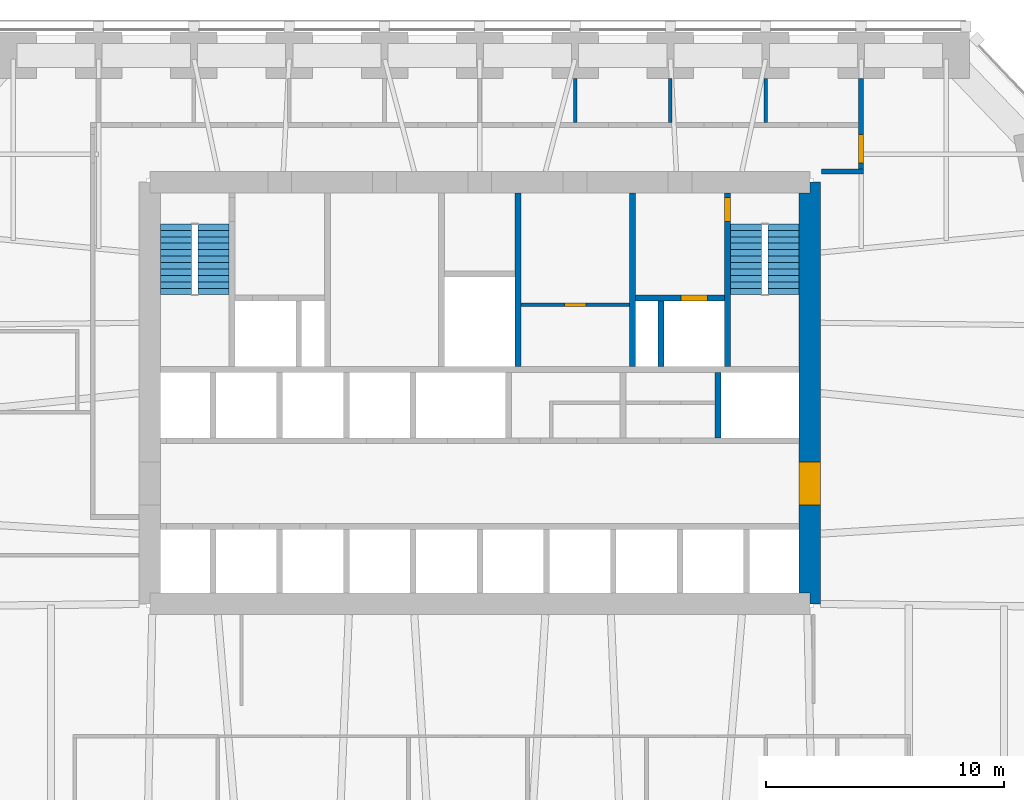
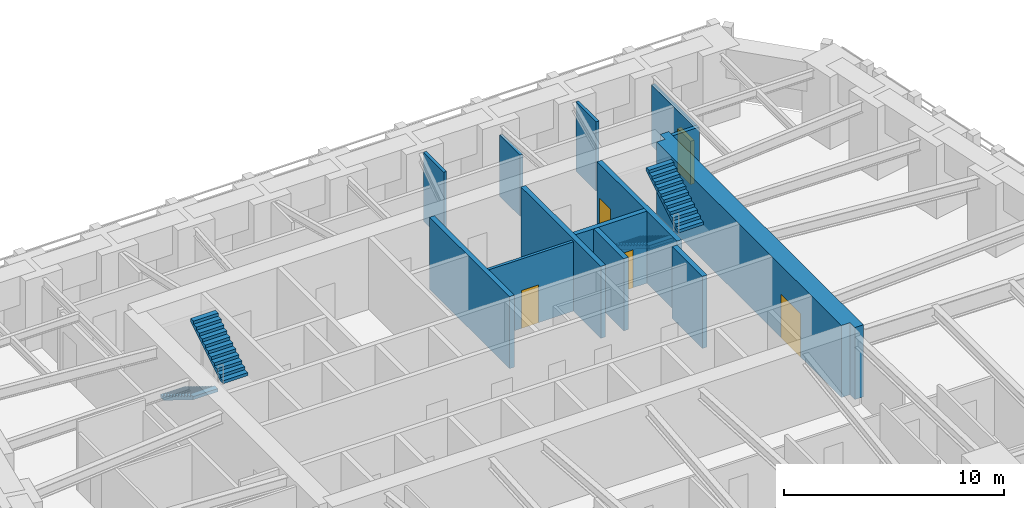
# One storey, part 14 of 16: 13 walls, 5 doors, 4 stair flights, 5 openings, 2 elements without a shape of their own.
"""IFC4 building model written with IfcOpenShell, lengths in metres."""

from ifc_helpers import new_model, si_unit, direction, frame, frame_2d, origin, place, context, subcontext, project, spatial, polyline, rectangle, outline, extrude, material, layer, layer_set, type_object, element, fill, aggregate, save


model = new_model("IFC4")

# Units and contexts
model_context = context("Model", 3, precision=1e-05, world=origin(), true_north=direction((0.0, 1.0)))
body_context = subcontext(model_context, "Body", "Model", "MODEL_VIEW")
ifc_project = project(units=[si_unit("LENGTHUNIT", "METRE"), si_unit("AREAUNIT", "SQUARE_METRE"), si_unit("VOLUMEUNIT", "CUBIC_METRE"), si_unit("PLANEANGLEUNIT", "RADIAN"), si_unit("MASSUNIT", "GRAM", prefix="KILO")], contexts=[model_context])

# Site, building, storey
site_placement = place(None, origin())
site = spatial("IfcSite", under=ifc_project, at=site_placement, CompositionType="ELEMENT")
building_placement = place(site_placement, origin())
building = spatial("IfcBuilding", under=site, at=building_placement, Name="Isbrekke Arena Tower", CompositionType="ELEMENT")
storey_placement = place(building_placement, frame((0.0, 0.0, 32.0)))
storey = spatial("IfcBuildingStorey", under=building, at=storey_placement, Name="L05", CompositionType="ELEMENT", Elevation=32.0)

# Wall, opening, door
ifc_material_1 = material(Name="Concrete B65 (C65/80)", Category="concrete")
ifc_layer_1 = layer(ifc_material_1, 0.89990234375)
ifc_layer_set_1 = layer_set([ifc_layer_1], Name="CW2 CORE WALL 900")
wall_type_1 = type_object("IfcWallType", Name="CW2 CORE WALL 900", PredefinedType="SHEAR", material=ifc_layer_set_1)
wall_1_placement = place(storey_placement, frame((13.85009765625, 6.14990234375, 0.0), z_axis=(0.0, 0.0, 1.0), x_axis=(0.0, 1.0, 0.0)))
wall_1 = element("IfcWall", 1, at=wall_1_placement, inside=storey, type_object=wall_type_1, Name="Core wall E L05", PredefinedType="SHEAR", context=body_context, shape_type="SweptSolid", body=[
    extrude(outline(polyline([(0.0, -0.449951171875), (17.7001953125, -0.449951171875), (17.7001953125, 0.0), (17.250244140625, 0.0), (17.250244140625, 0.449951171875), (0.449951171875, 0.449951171875), (0.449951171875, 0.0), (0.0, 0.0), (0.0, -0.449951171875)])), origin(), (0.0, 0.0, 1.0), 4.0),
])
opening_1_placement = place(wall_1_placement, frame((4.14990234375, 0.0, 0.0)))
opening_1 = element("IfcOpeningElement", 2, at=opening_1_placement, cuts=wall_1, Name="Opening D1", PredefinedType="OPENING", context=body_context, shape_type="SweptSolid", body=[
    extrude(rectangle(XDim=1.800048828125, YDim=2.39990234375, at=frame_2d((0.89990234375, 1.199951171875))), frame((0.0, 0.46484375, 0.0), z_axis=(0.0, -1.0, 0.0), x_axis=(1.0, 0.0, 0.0)), (0.0, 0.0, 1.0), 0.9296875),
])
ifc_material_2 = material(Name="Steel-framed glazed fire door", Category="steel")
door_type_1 = type_object("IfcDoorType", Name="D1 CORE LOBBY DOOR 1800 x 2400", OperationType="DOUBLE_DOOR_SINGLE_SWING", PredefinedType="DOOR", material=ifc_material_2)
door_1_placement = place(opening_1_placement, origin())
door_1 = element("IfcDoor", 3, at=door_1_placement, inside=storey, type_object=door_type_1, Name="D1 lift lobby door east L05", OperationType="DOUBLE_DOOR_SINGLE_SWING", OverallHeight=2.39990234375, OverallWidth=1.800048828125, PredefinedType="DOOR", context=body_context, shape_type="SweptSolid", body=[
    extrude(rectangle(XDim=1.800048828125, YDim=2.39990234375, at=frame_2d((0.89990234375, 1.199951171875))), frame((0.0, 0.44970703125, 0.0), z_axis=(0.0, -1.0, 0.0), x_axis=(1.0, 0.0, 0.0)), (0.0, 0.0, 1.0), 0.8994140625),
])
fill(opening_1, door_1)

# Walls
ifc_material_3 = material(Name="Concrete B45 (C45/55)", Category="concrete")
ifc_layer_2 = layer(ifc_material_3, 0.25)
ifc_layer_set_2 = layer_set([ifc_layer_2], Name="CW6 SHAFT WALL 250")
wall_type_2 = type_object("IfcWallType", Name="CW6 SHAFT WALL 250", PredefinedType="SHEAR", material=ifc_layer_set_2)
wall_2_placement = place(storey_placement, frame((10.0, 13.125, 0.0), z_axis=(0.0, 0.0, 1.0), x_axis=(0.0, 1.0, 0.0)))
element("IfcWall", 4, at=wall_2_placement, inside=storey, type_object=wall_type_2, Name="Core wall SN07 L05", PredefinedType="SHEAR", context=body_context, shape_type="SweptSolid", body=[
    extrude(rectangle(XDim=2.75, YDim=0.25, at=frame_2d((1.375, 0.0))), origin(), (0.0, 0.0, 1.0), 4.0),
])
for number, where, z_axis, x_axis, name in (
    (5, (1.60009765625, 16.125, 0.0), (0.0, 0.0, 1.0), (0.0, 1.0, 0.0), "Core wall NV04 L05"),
    (6, (6.39990234375, 16.125, 0.0), (0.0, 0.0, 1.0), (0.0, 1.0, 0.0), "Core wall NV05 L05"),
):
    element("IfcWall", number, at=place(storey_placement, frame(where, z_axis=z_axis, x_axis=x_axis)), inside=storey, type_object=wall_type_2, Name=name, PredefinedType="SHEAR", context=body_context, shape_type="SweptSolid", body=[
        extrude(rectangle(XDim=7.27490234375, YDim=0.25, at=frame_2d((3.637451171875, 0.0))), origin(), (0.0, 0.0, 1.0), 4.0),
    ])

# Wall, opening, door
wall_3_placement = place(storey_placement, frame((10.39990234375, 16.125, 0.0), z_axis=(0.0, 0.0, 1.0), x_axis=(0.0, 1.0, 0.0)))
wall_3 = element("IfcWall", 7, at=wall_3_placement, inside=storey, type_object=wall_type_2, Name="Core wall NV06 L05", PredefinedType="SHEAR", context=body_context, shape_type="SweptSolid", body=[
    extrude(rectangle(XDim=7.27490234375, YDim=0.25, at=frame_2d((3.637451171875, 0.0))), origin(), (0.0, 0.0, 1.0), 4.0),
])
opening_2_placement = place(wall_3_placement, frame((6.074951171875, 0.0, 0.0)))
opening_2 = element("IfcOpeningElement", 8, at=opening_2_placement, cuts=wall_3, Name="Opening D2", PredefinedType="OPENING", context=body_context, shape_type="SweptSolid", body=[
    extrude(rectangle(XDim=1.0, YDim=2.10009765625, at=frame_2d((0.5, 1.050048828125))), frame((0.0, 0.139892578125, 0.0), z_axis=(0.0, -1.0, 0.0), x_axis=(1.0, 0.0, 0.0)), (0.0, 0.0, 1.0), 0.27978515625),
])
ifc_material_4 = material(Name="Steel fire door", Category="steel")
door_type_2 = type_object("IfcDoorType", Name="D2 STAIR DOOR 1000 x 2100", OperationType="SINGLE_SWING_LEFT", PredefinedType="DOOR", material=ifc_material_4)
door_2_placement = place(opening_2_placement, origin())
door_2 = element("IfcDoor", 9, at=door_2_placement, inside=storey, type_object=door_type_2, Name="D2 stair door ST2 L05", OperationType="SINGLE_SWING_LEFT", OverallHeight=2.10009765625, OverallWidth=1.0, PredefinedType="DOOR", context=body_context, shape_type="SweptSolid", body=[
    extrude(rectangle(XDim=1.0, YDim=2.10009765625, at=frame_2d((0.5, 1.050048828125))), frame((0.0, 0.124755859375, 0.0), z_axis=(0.0, -1.0, 0.0), x_axis=(1.0, 0.0, 0.0)), (0.0, 0.0, 1.0), 0.24951171875),
])
fill(opening_2, door_2)

wall_4_placement = place(storey_placement, frame((6.52490234375, 19.0, 0.0), z_axis=(0.0, 0.0, 1.0), x_axis=(1.0, 0.0, 0.0)))
wall_4 = element("IfcWall", 10, at=wall_4_placement, inside=storey, type_object=wall_type_2, Name="Core wall NFE L05", PredefinedType="SHEAR", context=body_context, shape_type="SweptSolid", body=[
    extrude(rectangle(XDim=3.75, YDim=0.25, at=frame_2d((1.875, 0.0))), origin(), (0.0, 0.0, 1.0), 4.0),
])
opening_3_placement = place(wall_4_placement, frame((1.925048828125, 0.0, 0.0)))
opening_3 = element("IfcOpeningElement", 11, at=opening_3_placement, cuts=wall_4, Name="Opening LD2", PredefinedType="OPENING", context=body_context, shape_type="SweptSolid", body=[
    extrude(rectangle(XDim=1.10009765625, YDim=2.10009765625, at=frame_2d((0.550048828125, 1.050048828125))), frame((0.0, 0.139892578125, 0.0), z_axis=(0.0, -1.0, 0.0), x_axis=(1.0, 0.0, 0.0)), (0.0, 0.0, 1.0), 0.27978515625),
])
ifc_material_5 = material(Name="Stainless steel lift landing door", Category="steel")
door_type_3 = type_object("IfcDoorType", Name="LD2 FIRE-FIGHTING LIFT LANDING DOOR 1100 x 2100", OperationType="SLIDING_TO_RIGHT", PredefinedType="DOOR", material=ifc_material_5)
door_3_placement = place(opening_3_placement, origin())
door_3 = element("IfcDoor", 12, at=door_3_placement, inside=storey, type_object=door_type_3, Name="LD2 lift landing door LF L05", OperationType="SLIDING_TO_RIGHT", OverallHeight=2.10009765625, OverallWidth=1.10009765625, PredefinedType="DOOR", context=body_context, shape_type="SweptSolid", body=[
    extrude(rectangle(XDim=1.10009765625, YDim=2.10009765625, at=frame_2d((0.550048828125, 1.050048828125))), frame((0.0, 0.124755859375, 0.0), z_axis=(0.0, -1.0, 0.0), x_axis=(1.0, 0.0, 0.0)), (0.0, 0.0, 1.0), 0.24951171875),
])
fill(opening_3, door_3)

# Walls
wall_5_placement = place(storey_placement, frame((7.60009765625, 16.125, 0.0), z_axis=(0.0, 0.0, 1.0), x_axis=(0.0, 1.0, 0.0)))
element("IfcWall", 13, at=wall_5_placement, inside=storey, type_object=wall_type_2, Name="Core wall NFS2 L05", PredefinedType="SHEAR", context=body_context, shape_type="SweptSolid", body=[
    extrude(rectangle(XDim=2.75, YDim=0.25, at=frame_2d((1.375, 0.0))), origin(), (0.0, 0.0, 1.0), 4.0),
])
ifc_material_6 = material(Name="Gypsum board partition on steel studs", Category="steel")
ifc_layer_3 = layer(ifc_material_6, 0.14990234375)
ifc_layer_set_3 = layer_set([ifc_layer_3], Name="IW1 PARTITION 150")
wall_type_3 = type_object("IfcWallType", Name="IW1 PARTITION 150", PredefinedType="PARTITIONING", material=ifc_layer_set_3)
wall_6_placement = place(storey_placement, frame((4.0, 26.35009765625, 0.0), z_axis=(0.0, 0.0, 1.0), x_axis=(0.0, 1.0, 0.0)))
element("IfcWall", 14, at=wall_6_placement, inside=storey, type_object=wall_type_3, Name="IW1 partition 150 L05", PredefinedType="PARTITIONING", context=body_context, shape_type="SweptSolid", body=[
    extrude(rectangle(XDim=1.849853515625, YDim=0.14990234375, at=frame_2d((0.9248046875, 0.0))), origin(), (0.0, 0.0, 1.0), 3.85009765625),
])
wall_7_placement = place(storey_placement, frame((8.0, 26.35009765625, 0.0), z_axis=(0.0, 0.0, 1.0), x_axis=(0.0, 1.0, 0.0)))
element("IfcWall", 15, at=wall_7_placement, inside=storey, type_object=wall_type_3, Name="IW1 partition 150 L05", PredefinedType="PARTITIONING", context=body_context, shape_type="SweptSolid", body=[
    extrude(rectangle(XDim=1.849853515625, YDim=0.14990234375, at=frame_2d((0.9248046875, 0.0))), origin(), (0.0, 0.0, 1.0), 3.39990234375),
])
wall_8_placement = place(storey_placement, frame((12.0, 26.35009765625, 0.0), z_axis=(0.0, 0.0, 1.0), x_axis=(0.0, 1.0, 0.0)))
element("IfcWall", 16, at=wall_8_placement, inside=storey, type_object=wall_type_3, Name="IW1 partition 150 L05", PredefinedType="PARTITIONING", context=body_context, shape_type="SweptSolid", body=[
    extrude(rectangle(XDim=1.849853515625, YDim=0.14990234375, at=frame_2d((0.9248046875, 0.0))), origin(), (0.0, 0.0, 1.0), 3.85009765625),
])
ifc_material_7 = material(Name="Gypsum board fire-cell wall on steel studs, two layers each side", Category="steel")
ifc_layer_4 = layer(ifc_material_7, 0.199951171875)
ifc_layer_set_4 = layer_set([ifc_layer_4], Name="IW3 FIRE-CELL WALL 200")
wall_type_4 = type_object("IfcWallType", Name="IW3 FIRE-CELL WALL 200", PredefinedType="PARTITIONING", material=ifc_layer_set_4)
wall_9_placement = place(storey_placement, frame((14.330078125, 24.300048828125, 0.0), z_axis=(0.0, 0.0, 1.0), x_axis=(1.0, 0.0, 0.0)))
element("IfcWall", 17, at=wall_9_placement, inside=storey, type_object=wall_type_4, Name="IW3 fire-cell wall 200 L05", PredefinedType="PARTITIONING", context=body_context, shape_type="SweptSolid", body=[
    extrude(rectangle(XDim=1.77001953125, YDim=0.199951171875, at=frame_2d((0.885009765625, 0.0))), origin(), (0.0, 0.0, 1.0), 3.39990234375),
])

# Wall, opening, door
wall_10_placement = place(storey_placement, frame((16.0, 24.39990234375, 0.0), z_axis=(0.0, 0.0, 1.0), x_axis=(0.0, 1.0, 0.0)))
wall_10 = element("IfcWall", 18, at=wall_10_placement, inside=storey, type_object=wall_type_4, Name="IW3 fire-cell wall 200 L05", PredefinedType="PARTITIONING", context=body_context, shape_type="SweptSolid", body=[
    extrude(rectangle(XDim=3.800048828125, YDim=0.199951171875, at=frame_2d((1.89990234375, 0.0))), origin(), (0.0, 0.0, 1.0), 3.39990234375),
])
opening_4_placement = place(wall_10_placement, frame((0.25, 0.0, 0.0)))
opening_4 = element("IfcOpeningElement", 19, at=opening_4_placement, cuts=wall_10, Name="Opening D12", PredefinedType="OPENING", context=body_context, shape_type="SweptSolid", body=[
    extrude(rectangle(XDim=1.199951171875, YDim=2.39990234375, at=frame_2d((0.60009765625, 1.199951171875))), frame((0.0, 0.11474609375, 0.0), z_axis=(0.0, -1.0, 0.0), x_axis=(1.0, 0.0, 0.0)), (0.0, 0.0, 1.0), 0.229736328125),
])
ifc_material_8 = material(Name="Timber fire door with vision panel", Category="wood")
door_type_4 = type_object("IfcDoorType", Name="D12 SUITE ENTRANCE DOOR 1200 x 2400", OperationType="SINGLE_SWING_LEFT", PredefinedType="DOOR", material=ifc_material_8)
door_4_placement = place(opening_4_placement, origin())
door_4 = element("IfcDoor", 20, at=door_4_placement, inside=storey, type_object=door_type_4, Name="D12 suite entrance A door L05", OperationType="SINGLE_SWING_LEFT", OverallHeight=2.39990234375, OverallWidth=1.199951171875, PredefinedType="DOOR", context=body_context, shape_type="SweptSolid", body=[
    extrude(rectangle(XDim=1.199951171875, YDim=2.39990234375, at=frame_2d((0.60009765625, 1.199951171875))), frame((0.0, 0.099609375, 0.0), z_axis=(0.0, -1.0, 0.0), x_axis=(1.0, 0.0, 0.0)), (0.0, 0.0, 1.0), 0.199462890625),
])
fill(opening_4, door_4)

ifc_material_9 = material(Name="Gypsum board fire-rated partition on steel studs, two layers each side", Category="steel")
ifc_layer_5 = layer(ifc_material_9, 0.14990234375)
ifc_layer_set_5 = layer_set([ifc_layer_5], Name="IW5 FIRE-RATED PARTITION 150")
wall_type_5 = type_object("IfcWallType", Name="IW5 FIRE-RATED PARTITION 150", PredefinedType="PARTITIONING", material=ifc_layer_set_5)
wall_11_placement = place(storey_placement, frame((1.72509765625, 18.699951171875, 0.0), z_axis=(0.0, 0.0, 1.0), x_axis=(1.0, 0.0, 0.0)))
wall_11 = element("IfcWall", 21, at=wall_11_placement, inside=storey, type_object=wall_type_5, Name="IW5 fire-rated partition L05 cleaner's store M", PredefinedType="PARTITIONING", context=body_context, shape_type="SweptSolid", body=[
    extrude(rectangle(XDim=4.5498046875, YDim=0.14990234375, at=frame_2d((2.27490234375, 0.0))), origin(), (0.0, 0.0, 1.0), 3.85009765625),
])
opening_5_placement = place(wall_11_placement, frame((1.824951171875, 0.0, 0.0)))
opening_5 = element("IfcOpeningElement", 22, at=opening_5_placement, cuts=wall_11, Name="Opening D5", PredefinedType="OPENING", context=body_context, shape_type="SweptSolid", body=[
    extrude(rectangle(XDim=0.89990234375, YDim=2.10009765625, at=frame_2d((0.449951171875, 1.050048828125))), frame((0.0, 0.08984375, 0.0), z_axis=(0.0, -1.0, 0.0), x_axis=(1.0, 0.0, 0.0)), (0.0, 0.0, 1.0), 0.1796875),
])
ifc_material_10 = material(Name="Steel fire door", Category="steel")
door_type_5 = type_object("IfcDoorType", Name="D5 SERVICE DOOR 900 x 2100", OperationType="SINGLE_SWING_LEFT", PredefinedType="DOOR", material=ifc_material_10)
door_5_placement = place(opening_5_placement, origin())
door_5 = element("IfcDoor", 23, at=door_5_placement, inside=storey, type_object=door_type_5, Name="D5 cleaner's store door L05", OperationType="SINGLE_SWING_LEFT", OverallHeight=2.10009765625, OverallWidth=0.89990234375, PredefinedType="DOOR", context=body_context, shape_type="SweptSolid", body=[
    extrude(rectangle(XDim=0.89990234375, YDim=2.10009765625, at=frame_2d((0.449951171875, 1.050048828125))), frame((0.0, 0.07470703125, 0.0), z_axis=(0.0, -1.0, 0.0), x_axis=(1.0, 0.0, 0.0)), (0.0, 0.0, 1.0), 0.1494140625),
])
fill(opening_5, door_5)

# Stair, stair flights
ifc_material_11 = material(Name="Concrete B45 (C45/55) precast", Category="concrete")
stair_type = type_object("IfcStairType", Name="ST40 STAIR 1300 WIDE, 24 RISERS 167", PredefinedType="HALF_TURN_STAIR", material=ifc_material_11)
stair_1_placement = place(storey_placement, origin())
stair_1 = element("IfcStair", 24, at=stair_1_placement, inside=storey, type_object=stair_type, Name="ST1 stair L05", PredefinedType="HALF_TURN_STAIR")
ifc_material_12 = material(Name="Concrete B45 (C45/55) precast", Category="concrete")
stair_flight_type = type_object("IfcStairFlightType", Name="SF 1300 FLIGHT", PredefinedType="STRAIGHT", material=ifc_material_12)
stair_flight_1_placement = place(storey_placement, frame((-12.75, 22.10009765625, 0.0), z_axis=(0.0, 0.0, 1.0), x_axis=(0.0, -1.0, 0.0)))
stair_flight_1 = element("IfcStairFlight", 25, at=stair_flight_1_placement, type_object=stair_flight_type, Name="ST1 flight 1", NumberOfRisers=12, NumberOfTreads=11, PredefinedType="STRAIGHT", RiserHeight=0.166666667, TreadLength=0.27, context=body_context, shape_type="SweptSolid", body=[
    extrude(outline(polyline([(0.0, 0.0), (0.0, 0.166748046875), (0.27001953125, 0.166748046875), (0.27001953125, 0.333251953125), (0.5400390625, 0.333251953125), (0.5400390625, 0.5), (0.81005859375, 0.5), (0.81005859375, 0.666748046875), (1.080078125, 0.666748046875), (1.080078125, 0.833251953125), (1.35009765625, 0.833251953125), (1.35009765625, 1.0), (1.6201171875, 1.0), (1.6201171875, 1.166748046875), (1.889892578125, 1.166748046875), (1.889892578125, 1.333251953125), (2.159912109375, 1.333251953125), (2.159912109375, 1.5), (2.429931640625, 1.5), (2.429931640625, 1.666748046875), (2.699951171875, 1.666748046875), (2.699951171875, 1.833251953125), (2.969970703125, 1.833251953125), (2.969970703125, 2.0), (2.969970703125, 1.6572265625), (0.285400390625, 0.0), (0.0, 0.0)])), frame((0.0, 0.64990234375, 0.0), z_axis=(0.0, -1.0, 0.0), x_axis=(1.0, 0.0, 0.0)), (0.0, 0.0, 1.0), 1.300048828125),
])
stair_flight_2_placement = place(storey_placement, frame((-11.175048828125, 19.1298828125, 2.0), z_axis=(0.0, 0.0, 1.0), x_axis=(0.0, 1.0, 0.0)))
stair_flight_2 = element("IfcStairFlight", 26, at=stair_flight_2_placement, type_object=stair_flight_type, Name="ST1 flight 2", NumberOfRisers=12, NumberOfTreads=11, PredefinedType="STRAIGHT", RiserHeight=0.166666667, TreadLength=0.27, context=body_context, shape_type="SweptSolid", body=[
    extrude(outline(polyline([(0.0, 0.0), (0.0, 0.166748046875), (0.27001953125, 0.166748046875), (0.27001953125, 0.333251953125), (0.5400390625, 0.333251953125), (0.5400390625, 0.5), (0.81005859375, 0.5), (0.81005859375, 0.666748046875), (1.080078125, 0.666748046875), (1.080078125, 0.833251953125), (1.35009765625, 0.833251953125), (1.35009765625, 1.0), (1.6201171875, 1.0), (1.6201171875, 1.166748046875), (1.889892578125, 1.166748046875), (1.889892578125, 1.333251953125), (2.159912109375, 1.333251953125), (2.159912109375, 1.5), (2.429931640625, 1.5), (2.429931640625, 1.666748046875), (2.699951171875, 1.666748046875), (2.699951171875, 1.833251953125), (2.969970703125, 1.833251953125), (2.969970703125, 2.0), (2.969970703125, 1.6572265625), (0.285400390625, 0.0), (0.0, 0.0)])), frame((0.0, 0.64990234375, 0.0), z_axis=(0.0, -1.0, 0.0), x_axis=(1.0, 0.0, 0.0)), (0.0, 0.0, 1.0), 1.300048828125),
])
aggregate(stair_1, [stair_flight_1, stair_flight_2])

stair_2_placement = place(storey_placement, origin())
stair_2 = element("IfcStair", 27, at=stair_2_placement, inside=storey, type_object=stair_type, Name="ST2 stair L05", PredefinedType="HALF_TURN_STAIR")
stair_flight_3_placement = place(storey_placement, frame((11.175048828125, 22.10009765625, 0.0), z_axis=(0.0, 0.0, 1.0), x_axis=(0.0, -1.0, 0.0)))
stair_flight_3 = element("IfcStairFlight", 28, at=stair_flight_3_placement, type_object=stair_flight_type, Name="ST2 flight 1", NumberOfRisers=12, NumberOfTreads=11, PredefinedType="STRAIGHT", RiserHeight=0.166666667, TreadLength=0.27, context=body_context, shape_type="SweptSolid", body=[
    extrude(outline(polyline([(0.0, 0.0), (0.0, 0.166748046875), (0.27001953125, 0.166748046875), (0.27001953125, 0.333251953125), (0.5400390625, 0.333251953125), (0.5400390625, 0.5), (0.81005859375, 0.5), (0.81005859375, 0.666748046875), (1.080078125, 0.666748046875), (1.080078125, 0.833251953125), (1.35009765625, 0.833251953125), (1.35009765625, 1.0), (1.6201171875, 1.0), (1.6201171875, 1.166748046875), (1.889892578125, 1.166748046875), (1.889892578125, 1.333251953125), (2.159912109375, 1.333251953125), (2.159912109375, 1.5), (2.429931640625, 1.5), (2.429931640625, 1.666748046875), (2.699951171875, 1.666748046875), (2.699951171875, 1.833251953125), (2.969970703125, 1.833251953125), (2.969970703125, 2.0), (2.969970703125, 1.6572265625), (0.285400390625, 0.0), (0.0, 0.0)])), frame((0.0, 0.64990234375, 0.0), z_axis=(0.0, -1.0, 0.0), x_axis=(1.0, 0.0, 0.0)), (0.0, 0.0, 1.0), 1.300048828125),
])
stair_flight_4_placement = place(storey_placement, frame((12.75, 19.1298828125, 2.0), z_axis=(0.0, 0.0, 1.0), x_axis=(0.0, 1.0, 0.0)))
stair_flight_4 = element("IfcStairFlight", 29, at=stair_flight_4_placement, type_object=stair_flight_type, Name="ST2 flight 2", NumberOfRisers=12, NumberOfTreads=11, PredefinedType="STRAIGHT", RiserHeight=0.166666667, TreadLength=0.27, context=body_context, shape_type="SweptSolid", body=[
    extrude(outline(polyline([(0.0, 0.0), (0.0, 0.166748046875), (0.27001953125, 0.166748046875), (0.27001953125, 0.333251953125), (0.5400390625, 0.333251953125), (0.5400390625, 0.5), (0.81005859375, 0.5), (0.81005859375, 0.666748046875), (1.080078125, 0.666748046875), (1.080078125, 0.833251953125), (1.35009765625, 0.833251953125), (1.35009765625, 1.0), (1.6201171875, 1.0), (1.6201171875, 1.166748046875), (1.889892578125, 1.166748046875), (1.889892578125, 1.333251953125), (2.159912109375, 1.333251953125), (2.159912109375, 1.5), (2.429931640625, 1.5), (2.429931640625, 1.666748046875), (2.699951171875, 1.666748046875), (2.699951171875, 1.833251953125), (2.969970703125, 1.833251953125), (2.969970703125, 2.0), (2.969970703125, 1.6572265625), (0.285400390625, 0.0), (0.0, 0.0)])), frame((0.0, 0.64990234375, 0.0), z_axis=(0.0, -1.0, 0.0), x_axis=(1.0, 0.0, 0.0)), (0.0, 0.0, 1.0), 1.300048828125),
])
aggregate(stair_2, [stair_flight_3, stair_flight_4])

save(model, "model.ifc")
